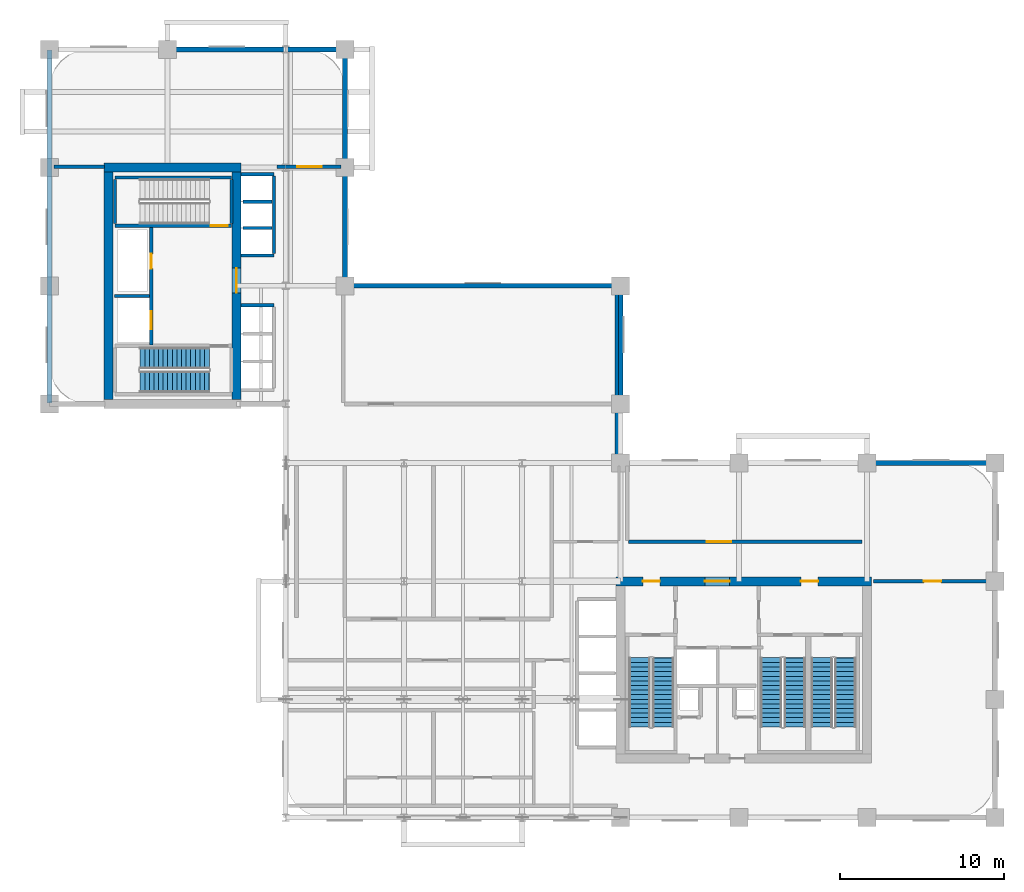
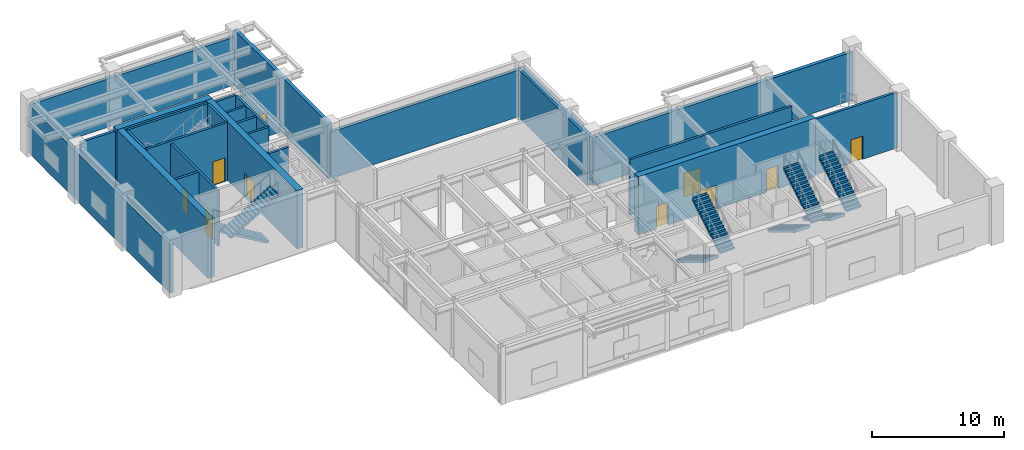
# One storey, part 8 of 12: 27 walls, 10 doors, 8 stair flights, 10 openings, 4 elements without a shape of their own.
"""IFC4 building model written with IfcOpenShell, lengths in metres."""

import ifcopenshell
import ifcopenshell.guid

model = None  # the IFC model being written
_history = None  # IfcOwnerHistory: only IFC2X3 demands one
_inside = {}  # id of a spatial element -> (the spatial element, [elements in it])
_under = {}  # id of a project, library or spatial element -> (it, [spatial elements below it])
_declared = {}  # id of a project -> (the project, [libraries it declares])
_typed = {}  # id of a type object -> (the type object, [elements of that type])
_made_of = {}  # id of a material, layer set ... -> (it, [elements and type objects made of it])


def new_model(schema):
    """Start an empty IFC model of exactly this schema.

    Asked for "IFC4X3", IfcOpenShell would pick the latest addendum, in which some entities
    have other attributes; the version numbers below select the first issue.
    IFC2X3 requires an IfcOwnerHistory on every rooted entity: one is made here for all.
    """
    global model, _history
    if schema == "IFC4X3":
        model = ifcopenshell.file(schema_version=(4, 3, 0, 0))
    else:
        model = ifcopenshell.file(schema=schema)
    _inside.clear()
    _under.clear()
    _declared.clear()
    _typed.clear()
    _made_of.clear()
    _history = None
    if model.schema == "IFC2X3":
        org = make("IfcOrganization", Name="unknown")
        user = make(
            "IfcPersonAndOrganization",
            ThePerson=make("IfcPerson", FamilyName="unknown"),
            TheOrganization=org,
        )
        app = make(
            "IfcApplication",
            ApplicationDeveloper=org,
            Version="unknown",
            ApplicationFullName="unknown",
            ApplicationIdentifier="unknown",
        )
        _history = make(
            "IfcOwnerHistory",
            OwningUser=user,
            OwningApplication=app,
            ChangeAction="ADDED",
            CreationDate=0,
        )
    return model


def make(cls, **values):
    """One entity of the class cls with the attributes given. An attribute that is None is left unset."""
    return model.create_entity(
        cls, **{name: value for name, value in values.items() if value is not None}
    )


def rooted(cls, **values):
    """An entity with a GlobalId (a new one), such as an element, a storey or a relation."""
    return make(cls, GlobalId=ifcopenshell.guid.new(), OwnerHistory=_history, **values)


def si_unit(unit_type, name, prefix=None):
    """IfcSIUnit, for example si_unit("LENGTHUNIT", "METRE", prefix="MILLI")."""
    return make("IfcSIUnit", UnitType=unit_type, Prefix=prefix, Name=name)


def derived_unit(unit_type, elements):
    """IfcDerivedUnit: a product of units, each with its exponent."""
    return make(
        "IfcDerivedUnit",
        Elements=[
            make("IfcDerivedUnitElement", Unit=unit, Exponent=power)
            for unit, power in elements
        ],
        UnitType=unit_type,
    )


def assignment(units):
    """IfcUnitAssignment: the units of a project."""
    return None if units is None else make("IfcUnitAssignment", Units=units)


def point(xyz):
    """IfcCartesianPoint."""
    return None if xyz is None else make("IfcCartesianPoint", Coordinates=xyz)


def direction(xyz):
    """IfcDirection."""
    return None if xyz is None else make("IfcDirection", DirectionRatios=xyz)


def frame(location, z_axis=None, x_axis=None):
    """IfcAxis2Placement3D, a coordinate frame: its origin and axes. An axis left out is left unset."""
    return make(
        "IfcAxis2Placement3D",
        Location=point(location),
        Axis=direction(z_axis),
        RefDirection=direction(x_axis),
    )


def frame_2d(location, x_axis=None):
    """IfcAxis2Placement2D, a coordinate frame in the plane: its origin and x axis."""
    return make(
        "IfcAxis2Placement2D", Location=point(location), RefDirection=direction(x_axis)
    )


def origin():
    """The frame at (0, 0, 0) with its axes left unset."""
    return frame((0.0, 0.0, 0.0))


def place(relative_to, where):
    """IfcLocalPlacement: puts the frame where relative to a parent placement (None: the world)."""
    return make(
        "IfcLocalPlacement", PlacementRelTo=relative_to, RelativePlacement=where
    )


def context(
    kind, dimensions, precision=None, world=None, true_north=None, identifier=None
):
    """IfcGeometricRepresentationContext, for example the 3D "Model" context."""
    return make(
        "IfcGeometricRepresentationContext",
        ContextIdentifier=identifier,
        ContextType=kind,
        CoordinateSpaceDimension=dimensions,
        Precision=precision,
        WorldCoordinateSystem=world,
        TrueNorth=true_north,
    )


def subcontext(parent, identifier, kind, view, scale=None):
    """IfcGeometricRepresentationSubContext, for example "Body" below "Model"."""
    return make(
        "IfcGeometricRepresentationSubContext",
        ContextIdentifier=identifier,
        ContextType=kind,
        ParentContext=parent,
        TargetScale=scale,
        TargetView=view,
    )


def project(units=None, contexts=None):
    """IfcProject with its units and contexts."""
    return rooted(
        "IfcProject",
        Name="project",
        RepresentationContexts=contexts,
        UnitsInContext=assignment(units),
    )


def spatial(cls, under=None, at=None, **own):
    """A site, building, storey or space (cls), placed at a placement, below another one or the project."""
    s = rooted(cls, ObjectPlacement=at, **own)
    if under is not None:
        _under.setdefault(under.id(), (under, []))[1].append(s)
    return s


def polyline(points):
    """IfcPolyline through the points."""
    return make("IfcPolyline", Points=[point(p) for p in points])


def profile(cls, at=None, kind="AREA", **sizes):
    """A parametric profile (cls). Its sizes go by their IFC names, for example OverallWidth=200.0."""
    return make(cls, ProfileType=kind, Position=at, **sizes)


def rectangle(**sizes):
    """IfcRectangleProfileDef."""
    return profile("IfcRectangleProfileDef", **sizes)


def outline(outer, holes=None, kind="AREA"):
    """IfcArbitraryClosedProfileDef: a profile drawn as a closed curve; with holes, ...WithVoids."""
    if holes is None:
        return make("IfcArbitraryClosedProfileDef", ProfileType=kind, OuterCurve=outer)
    return make(
        "IfcArbitraryProfileDefWithVoids",
        ProfileType=kind,
        OuterCurve=outer,
        InnerCurves=holes,
    )


def extrude(swept, where, along, depth):
    """IfcExtrudedAreaSolid: the profile swept, set in the frame where, extruded along a direction by depth."""
    return make(
        "IfcExtrudedAreaSolid",
        SweptArea=swept,
        Position=where,
        ExtrudedDirection=direction(along),
        Depth=depth,
    )


def shape(context_of_items, identifier, shape_type, items):
    """IfcShapeRepresentation: the items that make up one representation, for example the "Body"."""
    return make(
        "IfcShapeRepresentation",
        ContextOfItems=context_of_items,
        RepresentationIdentifier=identifier,
        RepresentationType=shape_type,
        Items=items,
    )


def source(mapping_origin, context_of_items, identifier, shape_type, items):
    """IfcRepresentationMap: a shape defined once, which mapped items show again and again."""
    return make(
        "IfcRepresentationMap",
        MappingOrigin=mapping_origin,
        MappedRepresentation=shape(context_of_items, identifier, shape_type, items),
    )


def transform(
    local_origin,
    x_axis=None,
    y_axis=None,
    z_axis=None,
    scale=None,
    scale2=None,
    scale3=None,
    uniform=True,
):
    """IfcCartesianTransformationOperator3D, or its non-uniform kind. x_axis, y_axis, z_axis: its Axis1, 2, 3."""
    if uniform:
        return make(
            "IfcCartesianTransformationOperator3D",
            Axis1=direction(x_axis),
            Axis2=direction(y_axis),
            LocalOrigin=point(local_origin),
            Scale=scale,
            Axis3=direction(z_axis),
        )
    return make(
        "IfcCartesianTransformationOperator3DnonUniform",
        Axis1=direction(x_axis),
        Axis2=direction(y_axis),
        LocalOrigin=point(local_origin),
        Scale=scale,
        Axis3=direction(z_axis),
        Scale2=scale2,
        Scale3=scale3,
    )


def mapped(mapping_source, mapping_target):
    """IfcMappedItem: shows the shape of a source again, moved by a transform."""
    return make(
        "IfcMappedItem", MappingSource=mapping_source, MappingTarget=mapping_target
    )


def material(Name=None, Category=None):
    """IfcMaterial."""
    return make("IfcMaterial", Name=Name, Category=Category)


def layer(
    of_material, thickness, ventilated=None, Name=None, Category=None, Priority=None
):
    """IfcMaterialLayer: one layer of a wall or slab, of a material (None: an air gap)."""
    return make(
        "IfcMaterialLayer",
        Material=of_material,
        LayerThickness=thickness,
        IsVentilated=ventilated,
        Name=Name,
        Category=Category,
        Priority=Priority,
    )


def layer_set(layers, Name=None):
    """IfcMaterialLayerSet."""
    return make("IfcMaterialLayerSet", MaterialLayers=layers, LayerSetName=Name)


def made_of(thing, what):
    """Note that an element or type object is made of a material, layer set ...; save() writes the relation."""
    if what is not None:
        _made_of.setdefault(what.id(), (what, []))[1].append(thing)
    return thing


def type_object(cls, material=None, **own):
    """A type object (cls), such as IfcWallType, which elements share."""
    return made_of(rooted(cls, **own), material)


def type_shapes(of_type, sources):
    """Give a type object the sources (RepresentationMaps) that its elements show as mapped items."""
    of_type.RepresentationMaps = sources


def element(
    cls,
    number,
    at=None,
    inside=None,
    cuts=None,
    type_object=None,
    material=None,
    context=None,
    identifier="Body",
    shape_type=None,
    held_by="IfcProductDefinitionShape",
    body=None,
    shapes=None,
    **own,
):
    """One element of the class cls, such as IfcWall. Its Tag is "e" and its number.

    at: its placement. inside: the storey or other place that contains it. cuts: it is an
    opening in that element (IfcRelVoidsElement). A single representation is given by context,
    identifier, shape_type and body (its items); several are given by shapes. held_by: the class
    of the entity that holds the representations. save() writes the other relations.
    """
    e = rooted(cls, Tag="e%d" % number, ObjectPlacement=at, **own)
    if body is not None:
        shapes = [shape(context, identifier, shape_type, body)]
    if shapes is not None:
        e.Representation = make(held_by, Representations=shapes)
    if inside is not None:
        _inside.setdefault(inside.id(), (inside, []))[1].append(e)
    if cuts is not None:
        rooted(
            "IfcRelVoidsElement", RelatingBuildingElement=cuts, RelatedOpeningElement=e
        )
    if type_object is not None:
        _typed.setdefault(type_object.id(), (type_object, []))[1].append(e)
    return made_of(e, material)


def fill(opening, filler):
    """IfcRelFillsElement: the door or window that sits in an opening."""
    return rooted(
        "IfcRelFillsElement",
        RelatingOpeningElement=opening,
        RelatedBuildingElement=filler,
    )


def aggregate(whole, parts):
    """IfcRelAggregates: a whole, such as a stair, and the parts it consists of."""
    return rooted("IfcRelAggregates", RelatingObject=whole, RelatedObjects=parts)


def save(model, path):
    """Write the relations noted so far, then the file.

    IfcRelAggregates (storeys below a building ...), IfcRelContainedInSpatialStructure (elements
    in a storey), IfcRelDefinesByType, IfcRelAssociatesMaterial and IfcRelDeclares: one each for
    every whole, place, type object, material and project.
    """
    for whole, parts in _under.values():
        aggregate(whole, parts)
    for where, things in _inside.values():
        rooted(
            "IfcRelContainedInSpatialStructure",
            RelatedElements=things,
            RelatingStructure=where,
        )
    for kind, things in _typed.values():
        rooted("IfcRelDefinesByType", RelatedObjects=things, RelatingType=kind)
    for what, things in _made_of.values():
        rooted("IfcRelAssociatesMaterial", RelatedObjects=things, RelatingMaterial=what)
    for by, libraries in _declared.values():
        rooted("IfcRelDeclares", RelatingContext=by, RelatedDefinitions=libraries)
    model.write(path)


model = new_model("IFC4")

# Units and contexts
model_context = context("Model", 3, precision=1e-05, world=origin(), true_north=direction((0.0, 1.0)))
body_context = subcontext(model_context, "Body", "Model", "MODEL_VIEW")
ifc_project = project(units=[si_unit("LENGTHUNIT", "METRE"), si_unit("AREAUNIT", "SQUARE_METRE"), si_unit("VOLUMEUNIT", "CUBIC_METRE"), si_unit("PLANEANGLEUNIT", "RADIAN"), si_unit("MASSUNIT", "GRAM", prefix="KILO"), si_unit("THERMODYNAMICTEMPERATUREUNIT", "KELVIN"), si_unit("POWERUNIT", "WATT"), derived_unit("THERMALTRANSMITTANCEUNIT", [(si_unit("POWERUNIT", "WATT"), 1), (si_unit("AREAUNIT", "SQUARE_METRE"), -1), (si_unit("THERMODYNAMICTEMPERATUREUNIT", "KELVIN"), -1)])], contexts=[model_context])

# Site, building, storey
site_placement = place(None, origin())
site = spatial("IfcSite", under=ifc_project, at=site_placement, CompositionType="ELEMENT")
building_placement = place(site_placement, origin())
building = spatial("IfcBuilding", under=site, at=building_placement, Name="Zahravan Archway Hotel and Residences", CompositionType="ELEMENT")
storey_placement = place(building_placement, frame((0.0, 0.0, 106.39990234375)))
storey = spatial("IfcBuildingStorey", under=building, at=storey_placement, Name="L26", CompositionType="ELEMENT", Elevation=106.39990234375)

# Wall, openings, doors
ifc_material_1 = material(Name="Concrete C70/85", Category="concrete")
ifc_layer_1 = layer(ifc_material_1, 0.550048828125, Name="Concrete C70/85", Category="concrete")
ifc_layer_set_1 = layer_set([ifc_layer_1], Name="Concrete C70/85")
wall_type_1 = type_object("IfcWallType", Name="CW-CORE-550", PredefinedType="SHEAR", material=ifc_layer_set_1)
wall_1_placement = place(storey_placement, frame((34.52490234375, 14.39990234375, 0.0), z_axis=(0.0, 0.0, 1.0), x_axis=(1.0, 0.0, 0.0)))
wall_1 = element("IfcWall", 1, at=wall_1_placement, inside=storey, type_object=wall_type_1, Name="L26 Core A Shear N Wall 550 mm", PredefinedType="SHEAR", context=body_context, shape_type="SweptSolid", body=[
    extrude(rectangle(XDim=15.550048828125, YDim=0.550048828125, at=frame_2d((7.77490234375, 0.0))), origin(), (0.0, 0.0, 1.0), 5.400146484375),
])
opening_1_placement = place(wall_1_placement, frame((5.405029296875, 0.0, 0.0)))
opening_1 = element("IfcOpeningElement", 2, at=opening_1_placement, cuts=wall_1, Name="Opening FD-L1", PredefinedType="OPENING", context=body_context, shape_type="SweptSolid", body=[
    extrude(rectangle(XDim=1.5, YDim=2.199951171875, at=frame_2d((0.75, 1.10009765625))), frame((0.0, 0.28515625, 0.0), z_axis=(0.0, -1.0, 0.0), x_axis=(1.0, 0.0, 0.0)), (0.0, 0.0, 1.0), 0.570068359375),
])
opening_2_placement = place(wall_1_placement, frame((1.6201171875, 0.0, 0.0)))
opening_2 = element("IfcOpeningElement", 3, at=opening_2_placement, cuts=wall_1, Name="Opening FD-L2", PredefinedType="OPENING", context=body_context, shape_type="SweptSolid", body=[
    extrude(rectangle(XDim=1.050048828125, YDim=2.14990234375, at=frame_2d((0.52490234375, 1.074951171875))), frame((0.0, 0.28515625, 0.0), z_axis=(0.0, -1.0, 0.0), x_axis=(1.0, 0.0, 0.0)), (0.0, 0.0, 1.0), 0.570068359375),
])
opening_3_placement = place(wall_1_placement, frame((11.25, 0.0, 0.0)))
opening_3 = element("IfcOpeningElement", 4, at=opening_3_placement, cuts=wall_1, Name="Opening FD-L2", PredefinedType="OPENING", context=body_context, shape_type="SweptSolid", body=[
    extrude(rectangle(XDim=1.050048828125, YDim=2.14990234375, at=frame_2d((0.52490234375, 1.074951171875))), frame((0.0, 0.28515625, 0.0), z_axis=(0.0, -1.0, 0.0), x_axis=(1.0, 0.0, 0.0)), (0.0, 0.0, 1.0), 0.570068359375),
])
ifc_material_2 = material(Name="Fire-Rated Painted Steel", Category="steel")
door_type_1 = type_object("IfcDoorType", Name="FD-LOBBY-1100", OperationType="NOTDEFINED", PredefinedType="DOOR", material=ifc_material_2)
shared_shape_1 = source(origin(), body_context, "Body", "SweptSolid", [
    extrude(rectangle(XDim=1.050048828125, YDim=2.14990234375, at=frame_2d((0.52490234375, 1.074951171875))), frame((0.0, 0.02490234375, 0.0), z_axis=(0.0, -1.0, 0.0), x_axis=(1.0, 0.0, 0.0)), (0.0, 0.0, 1.0), 0.050048828125),
])
type_shapes(door_type_1, [shared_shape_1])
door_1_placement = place(opening_2_placement, origin())
door_1 = element("IfcDoor", 5, at=door_1_placement, inside=storey, type_object=door_type_1, Name="L26 Core A West Stair Lobby Door", OperationType="SINGLE_SWING_RIGHT", OverallHeight=2.14990234375, OverallWidth=1.050048828125, PredefinedType="DOOR", context=body_context, shape_type="MappedRepresentation", body=[
    mapped(shared_shape_1, transform((0.0, 0.0, 0.0), scale=1.0)),
])
fill(opening_2, door_1)
door_2_placement = place(opening_3_placement, origin())
door_2 = element("IfcDoor", 6, at=door_2_placement, inside=storey, type_object=door_type_1, Name="L26 Core A East Stair Lobby Door", OperationType="SINGLE_SWING_LEFT", OverallHeight=2.14990234375, OverallWidth=1.050048828125, PredefinedType="DOOR", context=body_context, shape_type="MappedRepresentation", body=[
    mapped(shared_shape_1, transform((0.0, 0.0, 0.0), scale=1.0)),
])
fill(opening_3, door_2)
door_type_2 = type_object("IfcDoorType", Name="FD-LOBBY-1500", OperationType="DOUBLE_DOOR_SINGLE_SWING", PredefinedType="DOOR", material=ifc_material_2)
shared_shape_2 = source(origin(), body_context, "Body", "SweptSolid", [
    extrude(rectangle(XDim=1.5, YDim=2.199951171875, at=frame_2d((0.75, 1.10009765625))), frame((0.0, 0.02490234375, 0.0), z_axis=(0.0, -1.0, 0.0), x_axis=(1.0, 0.0, 0.0)), (0.0, 0.0, 1.0), 0.050048828125),
])
type_shapes(door_type_2, [shared_shape_2])
door_3_placement = place(opening_1_placement, origin())
door_3 = element("IfcDoor", 7, at=door_3_placement, inside=storey, type_object=door_type_2, Name="L26 Core A FSAE Lobby Main Door", OperationType="DOUBLE_DOOR_SINGLE_SWING", OverallHeight=2.199951171875, OverallWidth=1.5, PredefinedType="DOOR", context=body_context, shape_type="MappedRepresentation", body=[
    mapped(shared_shape_2, transform((0.0, 0.0, 0.0), scale=1.0)),
])
fill(opening_1, door_3)

# Walls
wall_2_placement = place(storey_placement, frame((3.324951171875, 39.60009765625, 0.0), z_axis=(0.0, 0.0, 1.0), x_axis=(1.0, 0.0, 0.0)))
element("IfcWall", 8, at=wall_2_placement, inside=storey, type_object=wall_type_1, Name="L26 Core B Shear N Wall 550 mm", PredefinedType="SHEAR", context=body_context, shape_type="SweptSolid", body=[
    extrude(rectangle(XDim=8.35009765625, YDim=0.550048828125, at=frame_2d((4.175048828125, 0.0))), origin(), (0.0, 0.0, 1.0), 5.400146484375),
])
wall_3_placement = place(storey_placement, frame((3.60009765625, 25.47509765625, 0.0), z_axis=(0.0, 0.0, 1.0), x_axis=(0.0, 1.0, 0.0)))
element("IfcWall", 9, at=wall_3_placement, inside=storey, type_object=wall_type_1, Name="L26 Core B Shear W Wall 550 mm", PredefinedType="SHEAR", context=body_context, shape_type="SweptSolid", body=[
    extrude(rectangle(XDim=13.849853515625, YDim=0.550048828125, at=frame_2d((6.9248046875, 0.0))), origin(), (0.0, 0.0, 1.0), 5.400146484375),
])

# Wall, opening, door
wall_4_placement = place(storey_placement, frame((11.39990234375, 25.47509765625, 0.0), z_axis=(0.0, 0.0, 1.0), x_axis=(0.0, 1.0, 0.0)))
wall_4 = element("IfcWall", 10, at=wall_4_placement, inside=storey, type_object=wall_type_1, Name="L26 Core B Shear E Wall 550 mm", PredefinedType="SHEAR", context=body_context, shape_type="SweptSolid", body=[
    extrude(rectangle(XDim=13.849853515625, YDim=0.550048828125, at=frame_2d((6.9248046875, 0.0))), origin(), (0.0, 0.0, 1.0), 5.400146484375),
])
opening_4_placement = place(wall_4_placement, frame((6.4951171875, 0.0, 0.0)))
opening_4 = element("IfcOpeningElement", 11, at=opening_4_placement, cuts=wall_4, Name="Opening FD-L1", PredefinedType="OPENING", context=body_context, shape_type="SweptSolid", body=[
    extrude(rectangle(XDim=1.5, YDim=2.199951171875, at=frame_2d((0.75, 1.10009765625))), frame((0.0, 0.28515625, 0.0), z_axis=(0.0, -1.0, 0.0), x_axis=(1.0, 0.0, 0.0)), (0.0, 0.0, 1.0), 0.570068359375),
])
door_4_placement = place(opening_4_placement, origin())
door_4 = element("IfcDoor", 12, at=door_4_placement, inside=storey, type_object=door_type_2, Name="L26 Core B FSAE Lobby Door", OperationType="DOUBLE_DOOR_SINGLE_SWING", OverallHeight=2.199951171875, OverallWidth=1.5, PredefinedType="DOOR", context=body_context, shape_type="MappedRepresentation", body=[
    mapped(shared_shape_2, transform((0.0, 0.0, 0.0), scale=1.0)),
])
fill(opening_4, door_4)

# Walls
ifc_material_3 = material(Name="Acoustic Louvred Sandstone Backup Wall", Category="masonry")
ifc_layer_2 = layer(ifc_material_3, 0.300048828125, Name="Acoustic Louvred Sandstone Backup Wall", Category="masonry")
ifc_layer_set_2 = layer_set([ifc_layer_2], Name="Acoustic Louvred Sandstone Backup Wall")
wall_type_2 = type_object("IfcWallType", Name="EW-REF-300", PredefinedType="SOLIDWALL", material=ifc_layer_set_2)
wall_5_placement = place(storey_placement, frame((34.800048828125, 21.60009765625, 0.0), z_axis=(0.0, 0.0, 1.0), x_axis=(1.0, 0.0, 0.0)))
element("IfcWall", 13, at=wall_5_placement, inside=storey, type_object=wall_type_2, Name="L26 Exterior Sandstone Wall WA-NE", PredefinedType="SOLIDWALL", context=body_context, shape_type="SweptSolid", body=[
    extrude(rectangle(XDim=22.800048828125, YDim=0.300048828125, at=frame_2d((11.39990234375, 0.0))), origin(), (0.0, 0.0, 1.0), 4.485107421875),
])
wall_6_placement = place(storey_placement, frame((0.0, 25.25, 0.0), z_axis=(0.0, 0.0, 1.0), x_axis=(0.0, 1.0, 0.0)))
element("IfcWall", 14, at=wall_6_placement, inside=storey, type_object=wall_type_2, Name="L26 Exterior Sandstone Wall WB-W", PredefinedType="SOLIDWALL", context=body_context, shape_type="SweptSolid", body=[
    extrude(rectangle(XDim=21.5, YDim=0.300048828125, at=frame_2d((10.75, 0.0))), origin(), (0.0, 0.0, 1.0), 4.485107421875),
])
wall_7_placement = place(storey_placement, frame((0.0, 46.800048828125, 0.0), z_axis=(0.0, 0.0, 1.0), x_axis=(1.0, 0.0, 0.0)))
element("IfcWall", 15, at=wall_7_placement, inside=storey, type_object=wall_type_2, Name="L26 Exterior Sandstone Wall WB-N", PredefinedType="SOLIDWALL", context=body_context, shape_type="SweptSolid", body=[
    extrude(rectangle(XDim=18.0, YDim=0.300048828125, at=frame_2d((9.0, 0.0))), origin(), (0.0, 0.0, 1.0), 4.485107421875),
])
wall_8_placement = place(storey_placement, frame((18.0, 32.39990234375, 0.0), z_axis=(0.0, 0.0, 1.0), x_axis=(0.0, 1.0, 0.0)))
element("IfcWall", 16, at=wall_8_placement, inside=storey, type_object=wall_type_2, Name="L26 Exterior Sandstone Wall WB-EU", PredefinedType="SOLIDWALL", context=body_context, shape_type="SweptSolid", body=[
    extrude(rectangle(XDim=14.35009765625, YDim=0.300048828125, at=frame_2d((7.175048828125, 0.0))), origin(), (0.0, 0.0, 1.0), 5.150146484375),
])
wall_9_placement = place(storey_placement, frame((18.0, 32.39990234375, 0.0), z_axis=(0.0, 0.0, 1.0), x_axis=(1.0, 0.0, 0.0)))
element("IfcWall", 17, at=wall_9_placement, inside=storey, type_object=wall_type_2, Name="L26 Exterior Sandstone Wall HNG-N", PredefinedType="SOLIDWALL", context=body_context, shape_type="SweptSolid", body=[
    extrude(rectangle(XDim=16.800048828125, YDim=0.300048828125, at=frame_2d((8.39990234375, 0.0))), origin(), (0.0, 0.0, 1.0), 4.335205078125),
])
wall_10_placement = place(storey_placement, frame((34.800048828125, 21.64990234375, 0.0), z_axis=(0.0, 0.0, 1.0), x_axis=(0.0, 1.0, 0.0)))
element("IfcWall", 18, at=wall_10_placement, inside=storey, type_object=wall_type_2, Name="L26 Exterior Sandstone Wall HNG-E", PredefinedType="SOLIDWALL", context=body_context, shape_type="SweptSolid", body=[
    extrude(rectangle(XDim=10.75, YDim=0.300048828125, at=frame_2d((5.375, 0.0))), origin(), (0.0, 0.0, 1.0), 4.485107421875),
])

# Wall, opening, door
ifc_material_4 = material(Name="Fire-Rated Gypsum & Concrete Block", Category="concrete")
ifc_layer_3 = layer(ifc_material_4, 0.219970703125, Name="Fire-Rated Gypsum & Concrete Block", Category="concrete")
ifc_layer_set_3 = layer_set([ifc_layer_3], Name="Fire-Rated Gypsum & Concrete Block")
wall_type_3 = type_object("IfcWallType", Name="PW-COMP-220", PredefinedType="PARTITIONING", material=ifc_layer_set_3)
wall_11_placement = place(storey_placement, frame((50.18994140625, 14.39990234375, 0.0), z_axis=(0.0, 0.0, 1.0), x_axis=(1.0, 0.0, 0.0)))
wall_11 = element("IfcWall", 19, at=wall_11_placement, inside=storey, type_object=wall_type_3, Name="L26 Partition L26-REA", PredefinedType="PARTITIONING", context=body_context, shape_type="SweptSolid", body=[
    extrude(rectangle(XDim=7.219970703125, YDim=0.219970703125, at=frame_2d((3.60986328125, 0.0))), origin(), (0.0, 0.0, 1.0), 5.150146484375),
])
opening_5_placement = place(wall_11_placement, frame((3.0849609375, 0.0, 0.0)))
opening_5 = element("IfcOpeningElement", 20, at=opening_5_placement, cuts=wall_11, Name="Opening FD-L2", PredefinedType="OPENING", context=body_context, shape_type="SweptSolid", body=[
    extrude(rectangle(XDim=1.050048828125, YDim=2.14990234375, at=frame_2d((0.52490234375, 1.074951171875))), frame((0.0, 0.1201171875, 0.0), z_axis=(0.0, -1.0, 0.0), x_axis=(1.0, 0.0, 0.0)), (0.0, 0.0, 1.0), 0.239990234375),
])
door_5_placement = place(opening_5_placement, origin())
door_5 = element("IfcDoor", 21, at=door_5_placement, inside=storey, type_object=door_type_1, Name="L26 East Smoke Extract Plant Door", OperationType="SINGLE_SWING_LEFT", OverallHeight=2.14990234375, OverallWidth=1.050048828125, PredefinedType="DOOR", context=body_context, shape_type="MappedRepresentation", body=[
    mapped(shared_shape_1, transform((0.0, 0.0, 0.0), scale=1.0)),
])
fill(opening_5, door_5)

wall_12_placement = place(storey_placement, frame((35.2900390625, 16.800048828125, 0.0), z_axis=(0.0, 0.0, 1.0), x_axis=(1.0, 0.0, 0.0)))
wall_12 = element("IfcWall", 22, at=wall_12_placement, inside=storey, type_object=wall_type_3, Name="L26 Partition L26-RNES", PredefinedType="PARTITIONING", context=body_context, shape_type="SweptSolid", body=[
    extrude(rectangle(XDim=14.219970703125, YDim=0.219970703125, at=frame_2d((7.10986328125, 0.0))), origin(), (0.0, 0.0, 1.0), 5.150146484375),
])
opening_6_placement = place(wall_12_placement, frame((4.760009765625, 0.0, 0.0)))
opening_6 = element("IfcOpeningElement", 23, at=opening_6_placement, cuts=wall_12, Name="Opening FD-L1", PredefinedType="OPENING", context=body_context, shape_type="SweptSolid", body=[
    extrude(rectangle(XDim=1.5, YDim=2.199951171875, at=frame_2d((0.75, 1.10009765625))), frame((0.0, 0.1201171875, 0.0), z_axis=(0.0, -1.0, 0.0), x_axis=(1.0, 0.0, 0.0)), (0.0, 0.0, 1.0), 0.239990234375),
])
door_6_placement = place(opening_6_placement, origin())
door_6 = element("IfcDoor", 24, at=door_6_placement, inside=storey, type_object=door_type_2, Name="L26 North-East Protected Refuge Door", OperationType="DOUBLE_DOOR_SINGLE_SWING", OverallHeight=2.199951171875, OverallWidth=1.5, PredefinedType="DOOR", context=body_context, shape_type="MappedRepresentation", body=[
    mapped(shared_shape_2, transform((0.0, 0.0, 0.0), scale=1.0)),
])
fill(opening_6, door_6)

# Wall
wall_13_placement = place(storey_placement, frame((34.550048828125, 21.68994140625, 0.0), z_axis=(0.0, 0.0, 1.0), x_axis=(0.0, 1.0, 0.0)))
element("IfcWall", 25, at=wall_13_placement, inside=storey, type_object=wall_type_3, Name="L26 Partition L26-RWBE", PredefinedType="PARTITIONING", context=body_context, shape_type="SweptSolid", body=[
    extrude(rectangle(XDim=10.469970703125, YDim=0.219970703125, at=frame_2d((5.23486328125, 0.0))), origin(), (0.0, 0.0, 1.0), 4.485107421875),
])

# Wall, opening, door
wall_14_placement = place(storey_placement, frame((13.8701171875, 39.64990234375, 0.0), z_axis=(0.0, 0.0, 1.0), x_axis=(1.0, 0.0, 0.0)))
wall_14 = element("IfcWall", 26, at=wall_14_placement, inside=storey, type_object=wall_type_3, Name="L26 Partition L26-RWBN2", PredefinedType="PARTITIONING", context=body_context, shape_type="SweptSolid", body=[
    extrude(rectangle(XDim=3.889892578125, YDim=0.219970703125, at=frame_2d((1.94482421875, 0.0))), origin(), (0.0, 0.0, 1.0), 4.485107421875),
])
opening_7_placement = place(wall_14_placement, frame((1.22998046875, 0.0, 0.0)))
opening_7 = element("IfcOpeningElement", 27, at=opening_7_placement, cuts=wall_14, Name="Opening FD-L1", PredefinedType="OPENING", context=body_context, shape_type="SweptSolid", body=[
    extrude(rectangle(XDim=1.5, YDim=2.199951171875, at=frame_2d((0.75, 1.10009765625))), frame((0.0, 0.1201171875, 0.0), z_axis=(0.0, -1.0, 0.0), x_axis=(1.0, 0.0, 0.0)), (0.0, 0.0, 1.0), 0.239990234375),
])
door_7_placement = place(opening_7_placement, origin())
door_7 = element("IfcDoor", 28, at=door_7_placement, inside=storey, type_object=door_type_2, Name="L26 North-West Protected Refuge Door", OperationType="DOUBLE_DOOR_SINGLE_SWING", OverallHeight=2.199951171875, OverallWidth=1.5, PredefinedType="DOOR", context=body_context, shape_type="MappedRepresentation", body=[
    mapped(shared_shape_2, transform((0.0, 0.0, 0.0), scale=1.0)),
])
fill(opening_7, door_7)

# Wall
wall_15_placement = place(storey_placement, frame((0.2900390625, 39.64990234375, 0.0), z_axis=(0.0, 0.0, 1.0), x_axis=(1.0, 0.0, 0.0)))
element("IfcWall", 29, at=wall_15_placement, inside=storey, type_object=wall_type_3, Name="L26 Partition L26-RWBNW", PredefinedType="PARTITIONING", context=body_context, shape_type="SweptSolid", body=[
    extrude(rectangle(XDim=3.070068359375, YDim=0.219970703125, at=frame_2d((1.53515625, 0.0))), origin(), (0.0, 0.0, 1.0), 5.150146484375),
])

# Wall, openings, doors
ifc_layer_4 = layer(ifc_material_4, 0.199951171875, Name="Fire-Rated Gypsum & Concrete Block", Category="concrete")
ifc_layer_set_4 = layer_set([ifc_layer_4], Name="Fire-Rated Gypsum & Concrete Block")
wall_type_4 = type_object("IfcWallType", Name="PW-SHAFT-200", PredefinedType="PARTITIONING", material=ifc_layer_set_4)
wall_16_placement = place(storey_placement, frame((6.199951171875, 28.7900390625, 0.0), z_axis=(0.0, 0.0, 1.0), x_axis=(0.0, 1.0, 0.0)))
wall_16 = element("IfcWall", 30, at=wall_16_placement, inside=storey, type_object=wall_type_4, Name="L26 Partition CB-FL3E", PredefinedType="PARTITIONING", context=body_context, shape_type="SweptSolid", body=[
    extrude(rectangle(XDim=7.219970703125, YDim=0.199951171875, at=frame_2d((3.60986328125, 0.0))), origin(), (0.0, 0.0, 1.0), 5.150146484375),
])
opening_8_placement = place(wall_16_placement, frame((4.659912109375, 0.0, 0.0)))
opening_8 = element("IfcOpeningElement", 31, at=opening_8_placement, cuts=wall_16, Name="Opening FD-R1", PredefinedType="OPENING", context=body_context, shape_type="SweptSolid", body=[
    extrude(rectangle(XDim=0.89990234375, YDim=2.10009765625, at=frame_2d((0.449951171875, 1.050048828125))), frame((0.0, 0.10986328125, 0.0), z_axis=(0.0, -1.0, 0.0), x_axis=(1.0, 0.0, 0.0)), (0.0, 0.0, 1.0), 0.219970703125),
])
opening_9_placement = place(wall_16_placement, frame((0.9599609375, 0.0, 0.0)))
opening_9 = element("IfcOpeningElement", 32, at=opening_9_placement, cuts=wall_16, Name="Opening LD", PredefinedType="OPENING", context=body_context, shape_type="SweptSolid", body=[
    extrude(rectangle(XDim=1.10009765625, YDim=2.199951171875, at=frame_2d((0.550048828125, 1.10009765625))), frame((0.0, 0.10986328125, 0.0), z_axis=(0.0, -1.0, 0.0), x_axis=(1.0, 0.0, 0.0)), (0.0, 0.0, 1.0), 0.219970703125),
])
door_type_3 = type_object("IfcDoorType", Name="FD-RISER-900", OperationType="NOTDEFINED", PredefinedType="DOOR", material=ifc_material_2)
shared_shape_3 = source(origin(), body_context, "Body", "SweptSolid", [
    extrude(rectangle(XDim=0.89990234375, YDim=2.10009765625, at=frame_2d((0.449951171875, 1.050048828125))), frame((0.0, 0.02490234375, 0.0), z_axis=(0.0, -1.0, 0.0), x_axis=(1.0, 0.0, 0.0)), (0.0, 0.0, 1.0), 0.050048828125),
])
type_shapes(door_type_3, [shared_shape_3])
door_8_placement = place(opening_8_placement, origin())
door_8 = element("IfcDoor", 33, at=door_8_placement, inside=storey, type_object=door_type_3, Name="L26 Core B Riser Door", OperationType="SINGLE_SWING_RIGHT", OverallHeight=2.10009765625, OverallWidth=0.89990234375, PredefinedType="DOOR", context=body_context, shape_type="MappedRepresentation", body=[
    mapped(shared_shape_3, transform((0.0, 0.0, 0.0), scale=1.0)),
])
fill(opening_8, door_8)
ifc_material_5 = material(Name="Brushed Stainless Steel", Category="steel")
door_type_4 = type_object("IfcDoorType", Name="DR-LIFT-LD", OperationType="SLIDING_TO_LEFT", PredefinedType="DOOR", material=ifc_material_5)
shared_shape_4 = source(origin(), body_context, "Body", "SweptSolid", [
    extrude(rectangle(XDim=1.10009765625, YDim=2.199951171875, at=frame_2d((0.550048828125, 1.10009765625))), frame((0.0, 0.02490234375, 0.0), z_axis=(0.0, -1.0, 0.0), x_axis=(1.0, 0.0, 0.0)), (0.0, 0.0, 1.0), 0.050048828125),
])
type_shapes(door_type_4, [shared_shape_4])
door_9_placement = place(opening_9_placement, origin())
door_9 = element("IfcDoor", 34, at=door_9_placement, inside=storey, type_object=door_type_4, Name="L26 Lift FL-3 Sliding Landing Door", OperationType="SLIDING_TO_LEFT", OverallHeight=2.199951171875, OverallWidth=1.10009765625, PredefinedType="DOOR", context=body_context, shape_type="MappedRepresentation", body=[
    mapped(shared_shape_4, transform((0.0, 0.0, 0.0), scale=1.0)),
])
fill(opening_9, door_9)

# Walls
wall_17_placement = place(storey_placement, frame((3.9599609375, 31.780029296875, 0.0), z_axis=(0.0, 0.0, 1.0), x_axis=(1.0, 0.0, 0.0)))
element("IfcWall", 35, at=wall_17_placement, inside=storey, type_object=wall_type_4, Name="L26 Partition CB-FL3N", PredefinedType="PARTITIONING", context=body_context, shape_type="SweptSolid", body=[
    extrude(rectangle(XDim=2.130126953125, YDim=0.199951171875, at=frame_2d((1.06494140625, 0.0))), origin(), (0.0, 0.0, 1.0), 5.150146484375),
])
for number, where, z_axis, x_axis, name in (
    (36, (11.68505859375, 31.2099609375, 0.0), (0.0, 0.0, 1.0), (1.0, 0.0, 0.0), "L26 Partition B1-N"),
    (37, (11.68505859375, 34.25, 0.0), (0.0, 0.0, 1.0), (1.0, 0.0, 0.0), "L26 Partition B2-S"),
    (38, (11.68505859375, 39.18994140625, 0.0), (0.0, 0.0, 1.0), (1.0, 0.0, 0.0), "L26 Partition B2-N"),
):
    element("IfcWall", number, at=place(storey_placement, frame(where, z_axis=z_axis, x_axis=x_axis)), inside=storey, type_object=wall_type_4, Name=name, PredefinedType="PARTITIONING", context=body_context, shape_type="SweptSolid", body=[
        extrude(rectangle(XDim=1.98486328125, YDim=0.199951171875, at=frame_2d((0.992431640625, 0.0))), origin(), (0.0, 0.0, 1.0), 5.150146484375),
    ])
wall_18_placement = place(storey_placement, frame((13.679931640625, 34.360107421875, 0.0), z_axis=(0.0, 0.0, 1.0), x_axis=(0.0, 1.0, 0.0)))
element("IfcWall", 39, at=wall_18_placement, inside=storey, type_object=wall_type_4, Name="L26 Partition B2-E", PredefinedType="PARTITIONING", context=body_context, shape_type="SweptSolid", body=[
    extrude(rectangle(XDim=4.719970703125, YDim=0.199951171875, at=frame_2d((2.35986328125, 0.0))), origin(), (0.0, 0.0, 1.0), 5.150146484375),
])
for number, where, z_axis, x_axis, name in (
    (40, (11.784912109375, 35.919921875, 0.0), (0.0, 0.0, 1.0), (1.0, 0.0, 0.0), "L26 Partition B2-D"),
    (41, (11.784912109375, 37.52001953125, 0.0), (0.0, 0.0, 1.0), (1.0, 0.0, 0.0), "L26 Partition B2-D"),
):
    element("IfcWall", number, at=place(storey_placement, frame(where, z_axis=z_axis, x_axis=x_axis)), inside=storey, type_object=wall_type_4, Name=name, PredefinedType="PARTITIONING", context=body_context, shape_type="SweptSolid", body=[
        extrude(rectangle(XDim=1.78515625, YDim=0.199951171875, at=frame_2d((0.892578125, 0.0))), origin(), (0.0, 0.0, 1.0), 5.150146484375),
    ])
ifc_material_6 = material(Name="Concrete C50/60", Category="concrete")
ifc_layer_5 = layer(ifc_material_6, 0.199951171875, Name="Concrete C50/60", Category="concrete")
ifc_layer_set_5 = layer_set([ifc_layer_5], Name="Concrete C50/60")
wall_type_5 = type_object("IfcWallType", Name="SW-STAIR-200", PredefinedType="SHEAR", material=ifc_layer_set_5)
wall_19_placement = place(storey_placement, frame((4.0, 39.0, 0.0), z_axis=(0.0, 0.0, 1.0), x_axis=(1.0, 0.0, 0.0)))
element("IfcWall", 42, at=wall_19_placement, inside=storey, type_object=wall_type_5, Name="L26 Stairwell RC Wall CB-SB2N", PredefinedType="SHEAR", context=body_context, shape_type="SweptSolid", body=[
    extrude(rectangle(XDim=7.10009765625, YDim=0.199951171875, at=frame_2d((3.550048828125, 0.0))), origin(), (0.0, 0.0, 1.0), 5.400146484375),
])
for number, where, z_axis, x_axis, name in (
    (43, (4.0, 36.179931640625, 0.0), (0.0, 0.0, 1.0), (0.0, 1.0, 0.0), "L26 Stairwell RC Wall CB-SB2W"),
    (44, (11.10009765625, 36.179931640625, 0.0), (0.0, 0.0, 1.0), (0.0, 1.0, 0.0), "L26 Stairwell RC Wall CB-SB2E"),
):
    element("IfcWall", number, at=place(storey_placement, frame(where, z_axis=z_axis, x_axis=x_axis)), inside=storey, type_object=wall_type_5, Name=name, PredefinedType="SHEAR", context=body_context, shape_type="SweptSolid", body=[
        extrude(rectangle(XDim=2.699951171875, YDim=0.199951171875, at=frame_2d((1.35009765625, 0.0))), origin(), (0.0, 0.0, 1.0), 5.400146484375),
    ])

# Wall, opening, door
wall_20_placement = place(storey_placement, frame((4.0, 36.06005859375, 0.0), z_axis=(0.0, 0.0, 1.0), x_axis=(1.0, 0.0, 0.0)))
wall_20 = element("IfcWall", 45, at=wall_20_placement, inside=storey, type_object=wall_type_5, Name="L26 Stairwell RC Wall CB-SB2S", PredefinedType="SHEAR", context=body_context, shape_type="SweptSolid", body=[
    extrude(rectangle(XDim=7.10009765625, YDim=0.199951171875, at=frame_2d((3.550048828125, 0.0))), origin(), (0.0, 0.0, 1.0), 5.400146484375),
])
opening_10_placement = place(wall_20_placement, frame((5.81494140625, 0.0, 0.0)))
opening_10 = element("IfcOpeningElement", 46, at=opening_10_placement, cuts=wall_20, Name="Opening FD-S1", PredefinedType="OPENING", context=body_context, shape_type="SweptSolid", body=[
    extrude(rectangle(XDim=1.050048828125, YDim=2.199951171875, at=frame_2d((0.52490234375, 1.10009765625))), frame((0.0, 0.10986328125, 0.0), z_axis=(0.0, -1.0, 0.0), x_axis=(1.0, 0.0, 0.0)), (0.0, 0.0, 1.0), 0.219970703125),
])
door_type_5 = type_object("IfcDoorType", Name="FD-STAIR-1100", OperationType="NOTDEFINED", PredefinedType="DOOR", material=ifc_material_2)
shared_shape_5 = source(origin(), body_context, "Body", "SweptSolid", [
    extrude(rectangle(XDim=1.050048828125, YDim=2.199951171875, at=frame_2d((0.52490234375, 1.10009765625))), frame((0.0, 0.02490234375, 0.0), z_axis=(0.0, -1.0, 0.0), x_axis=(1.0, 0.0, 0.0)), (0.0, 0.0, 1.0), 0.050048828125),
])
type_shapes(door_type_5, [shared_shape_5])
door_10_placement = place(opening_10_placement, origin())
door_10 = element("IfcDoor", 47, at=door_10_placement, inside=storey, type_object=door_type_5, Name="L26 Stair ST-B2 Door", OperationType="SINGLE_SWING_LEFT", OverallHeight=2.199951171875, OverallWidth=1.050048828125, PredefinedType="DOOR", context=body_context, shape_type="MappedRepresentation", body=[
    mapped(shared_shape_5, transform((0.0, 0.0, 0.0), scale=1.0)),
])
fill(opening_10, door_10)

# Stair, stair flights
stair_type = type_object("IfcStairType", Name="STR-CORE-1300", PredefinedType="HALF_TURN_STAIR", material=ifc_material_6)
stair_1_placement = place(storey_placement, origin())
stair_1 = element("IfcStair", 48, at=stair_1_placement, inside=storey, type_object=stair_type, Name="L26 Core A Exit Stair 1", PredefinedType="HALF_TURN_STAIR")
ifc_layer_6 = layer(ifc_material_6, 0.199951171875, Name="Concrete C50/60", Category="concrete")
ifc_layer_set_6 = layer_set([ifc_layer_6], Name="Concrete C50/60")
stair_flight_type = type_object("IfcStairFlightType", Name="SFL-CORE-1300", PredefinedType="STRAIGHT", material=ifc_layer_set_6)
shared_shape_6 = source(origin(), body_context, "Body", "SweptSolid", [
    extrude(outline(polyline([(-0.01611328125, 0.0), (-0.01611328125, 0.168701171875), (0.280029296875, 0.168701171875), (0.280029296875, 0.33740234375), (0.56005859375, 0.33740234375), (0.56005859375, 0.50634765625), (0.840087890625, 0.50634765625), (0.840087890625, 0.675048828125), (1.1201171875, 0.675048828125), (1.1201171875, 0.84375), (1.39990234375, 0.84375), (1.39990234375, 1.012451171875), (1.679931640625, 1.012451171875), (1.679931640625, 1.18115234375), (1.9599609375, 1.18115234375), (1.9599609375, 1.35009765625), (2.239990234375, 1.35009765625), (2.239990234375, 1.518798828125), (2.52001953125, 1.518798828125), (2.52001953125, 1.6875), (2.800048828125, 1.6875), (2.800048828125, 1.856201171875), (3.080078125, 1.856201171875), (3.080078125, 2.02490234375), (3.360107421875, 2.02490234375), (3.360107421875, 2.19384765625), (3.639892578125, 2.19384765625), (3.639892578125, 2.362548828125), (3.919921875, 2.362548828125), (3.919921875, 2.53125), (4.199951171875, 2.53125), (4.199951171875, 2.699951171875), (4.216064453125, 2.699951171875), (4.216064453125, 2.356201171875), (0.29052734375, 0.0), (-0.01611328125, 0.0)])), frame((0.0, 0.64990234375, 0.0), z_axis=(0.0, -1.0, 0.0), x_axis=(1.0, 0.0, 0.0)), (0.0, 0.0, 1.0), 1.300048828125),
])
stair_flight_1_placement = place(storey_placement, frame((35.949951171875, 9.72998046875, 0.0), z_axis=(0.0, 0.0, 1.0), x_axis=(0.0, -1.0, 0.0)))
stair_flight_1 = element("IfcStairFlight", 49, at=stair_flight_1_placement, type_object=stair_flight_type, Name="ST-A1 flight 1", NumberOfRisers=16, NumberOfTreads=15, PredefinedType="STRAIGHT", RiserHeight=0.16875, TreadLength=0.28, context=body_context, shape_type="MappedRepresentation", body=[
    mapped(shared_shape_6, transform((0.0, 0.0, 0.0), scale=1.0)),
])
stair_flight_2_placement = place(storey_placement, frame((37.389892578125, 5.530029296875, 2.7001953125), z_axis=(0.0, 0.0, 1.0), x_axis=(0.0, 1.0, 0.0)))
stair_flight_2 = element("IfcStairFlight", 50, at=stair_flight_2_placement, type_object=stair_flight_type, Name="ST-A1 flight 2", NumberOfRisers=16, NumberOfTreads=15, PredefinedType="STRAIGHT", RiserHeight=0.16875, TreadLength=0.28, context=body_context, shape_type="MappedRepresentation", body=[
    mapped(shared_shape_6, transform((0.0, 0.0, 0.0), scale=1.0)),
])
aggregate(stair_1, [stair_flight_1, stair_flight_2])

stair_2_placement = place(storey_placement, origin())
stair_2 = element("IfcStair", 51, at=stair_2_placement, inside=storey, type_object=stair_type, Name="L26 Core A Exit Stair 2", PredefinedType="HALF_TURN_STAIR")
stair_flight_3_placement = place(storey_placement, frame((43.969970703125, 9.72998046875, 0.0), z_axis=(0.0, 0.0, 1.0), x_axis=(0.0, -1.0, 0.0)))
stair_flight_3 = element("IfcStairFlight", 52, at=stair_flight_3_placement, type_object=stair_flight_type, Name="ST-A2 flight 1", NumberOfRisers=16, NumberOfTreads=15, PredefinedType="STRAIGHT", RiserHeight=0.16875, TreadLength=0.28, context=body_context, shape_type="MappedRepresentation", body=[
    mapped(shared_shape_6, transform((0.0, 0.0, 0.0), scale=1.0)),
])
stair_flight_4_placement = place(storey_placement, frame((45.409912109375, 5.530029296875, 2.7001953125), z_axis=(0.0, 0.0, 1.0), x_axis=(0.0, 1.0, 0.0)))
stair_flight_4 = element("IfcStairFlight", 53, at=stair_flight_4_placement, type_object=stair_flight_type, Name="ST-A2 flight 2", NumberOfRisers=16, NumberOfTreads=15, PredefinedType="STRAIGHT", RiserHeight=0.16875, TreadLength=0.28, context=body_context, shape_type="MappedRepresentation", body=[
    mapped(shared_shape_6, transform((0.0, 0.0, 0.0), scale=1.0)),
])
aggregate(stair_2, [stair_flight_3, stair_flight_4])

stair_3_placement = place(storey_placement, origin())
stair_3 = element("IfcStair", 54, at=stair_3_placement, inside=storey, type_object=stair_type, Name="L26 Core A Exit Stair 3", PredefinedType="HALF_TURN_STAIR")
stair_flight_5_placement = place(storey_placement, frame((47.050048828125, 9.72998046875, 0.0), z_axis=(0.0, 0.0, 1.0), x_axis=(0.0, -1.0, 0.0)))
stair_flight_5 = element("IfcStairFlight", 55, at=stair_flight_5_placement, type_object=stair_flight_type, Name="ST-A3 flight 1", NumberOfRisers=16, NumberOfTreads=15, PredefinedType="STRAIGHT", RiserHeight=0.16875, TreadLength=0.28, context=body_context, shape_type="MappedRepresentation", body=[
    mapped(shared_shape_6, transform((0.0, 0.0, 0.0), scale=1.0)),
])
stair_flight_6_placement = place(storey_placement, frame((48.489990234375, 5.530029296875, 2.7001953125), z_axis=(0.0, 0.0, 1.0), x_axis=(0.0, 1.0, 0.0)))
stair_flight_6 = element("IfcStairFlight", 56, at=stair_flight_6_placement, type_object=stair_flight_type, Name="ST-A3 flight 2", NumberOfRisers=16, NumberOfTreads=15, PredefinedType="STRAIGHT", RiserHeight=0.16875, TreadLength=0.28, context=body_context, shape_type="MappedRepresentation", body=[
    mapped(shared_shape_6, transform((0.0, 0.0, 0.0), scale=1.0)),
])
aggregate(stair_3, [stair_flight_5, stair_flight_6])

stair_4_placement = place(storey_placement, origin())
stair_4 = element("IfcStair", 57, at=stair_4_placement, inside=storey, type_object=stair_type, Name="L26 Core B Exit Stair 1", PredefinedType="HALF_TURN_STAIR")
stair_flight_7_placement = place(storey_placement, frame((9.72998046875, 27.989990234375, 0.0), z_axis=(0.0, 0.0, 1.0), x_axis=(-1.0, 0.0, 0.0)))
stair_flight_7 = element("IfcStairFlight", 58, at=stair_flight_7_placement, type_object=stair_flight_type, Name="ST-B1 flight 1", NumberOfRisers=16, NumberOfTreads=15, PredefinedType="STRAIGHT", RiserHeight=0.16875, TreadLength=0.28, context=body_context, shape_type="MappedRepresentation", body=[
    mapped(shared_shape_6, transform((0.0, 0.0, 0.0), scale=1.0)),
])
stair_flight_8_placement = place(storey_placement, frame((5.530029296875, 26.550048828125, 2.7001953125), z_axis=(0.0, 0.0, 1.0), x_axis=(1.0, 0.0, 0.0)))
stair_flight_8 = element("IfcStairFlight", 59, at=stair_flight_8_placement, type_object=stair_flight_type, Name="ST-B1 flight 2", NumberOfRisers=16, NumberOfTreads=15, PredefinedType="STRAIGHT", RiserHeight=0.16875, TreadLength=0.28, context=body_context, shape_type="MappedRepresentation", body=[
    mapped(shared_shape_6, transform((0.0, 0.0, 0.0), scale=1.0)),
])
aggregate(stair_4, [stair_flight_7, stair_flight_8])

save(model, "model.ifc")
